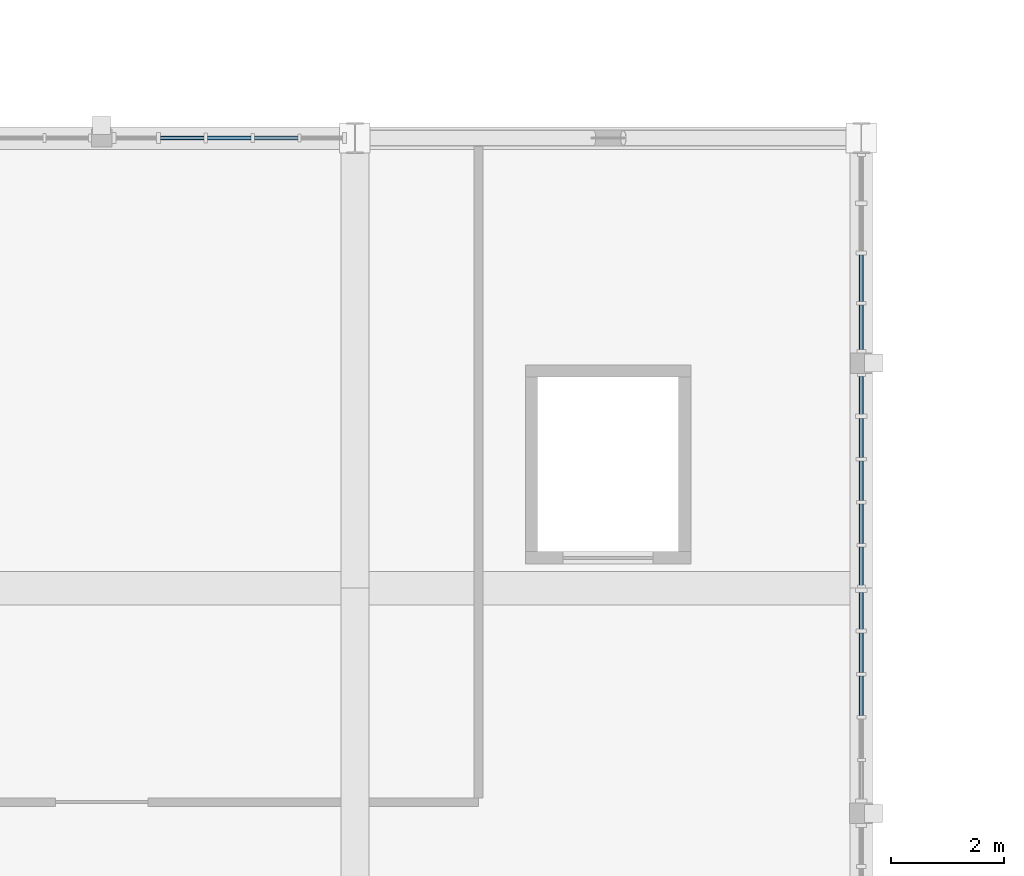
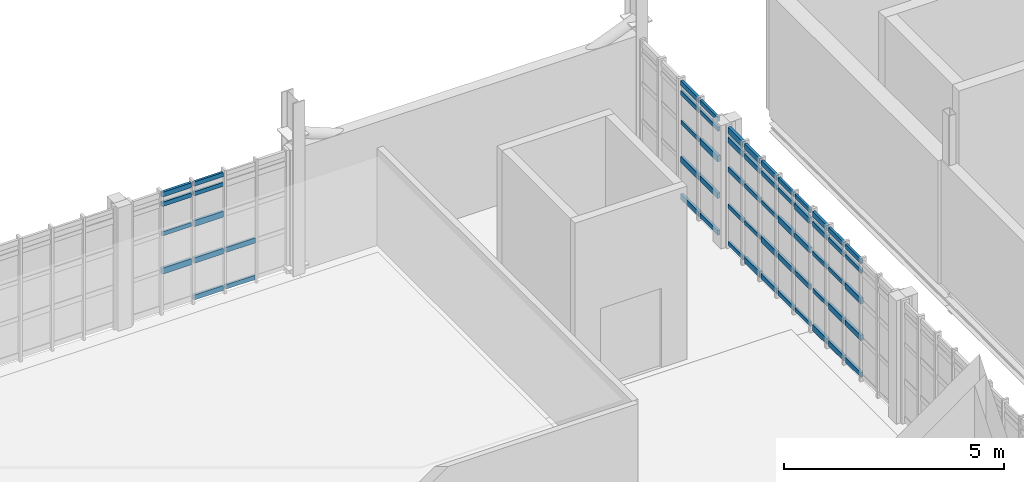
# One storey, part 73 of 128: 61 members, 4 elements without a shape of their own.
"""IFC4 building model written with IfcOpenShell, lengths in metres."""

from ifc_helpers import new_model, si_unit, direction, frame, origin, origin_2d, place, context, subcontext, project, spatial, rectangle, extrude, material, material_profile, profile_set, type_object, element, aggregate, save


model = new_model("IFC4")

# Units and contexts
model_context = context("Model", 3, precision=1e-05, world=origin(), true_north=direction((0.0, 1.0)))
body_context = subcontext(model_context, "Body", "Model", "MODEL_VIEW")
ifc_project = project(units=[si_unit("LENGTHUNIT", "METRE"), si_unit("AREAUNIT", "SQUARE_METRE"), si_unit("VOLUMEUNIT", "CUBIC_METRE"), si_unit("PLANEANGLEUNIT", "RADIAN"), si_unit("MASSUNIT", "GRAM", prefix="KILO")], contexts=[model_context])

# Site, building, storey
site_placement = place(None, origin())
site = spatial("IfcSite", under=ifc_project, at=site_placement, CompositionType="ELEMENT")
building_placement = place(site_placement, origin())
building = spatial("IfcBuilding", under=site, at=building_placement, Name="Serraforn Aerial Cableway Station", CompositionType="ELEMENT")
storey_placement = place(building_placement, frame((0.0, 0.0, 9.0)))
storey = spatial("IfcBuildingStorey", under=building, at=storey_placement, Name="L02", CompositionType="ELEMENT", Elevation=9.0)

# Curtain wall, members
ifc_material_1 = material(Name="Anodised bronze unitised curtain wall")
curtain_wall_type_1 = type_object("IfcCurtainWallType", Name="CW-SYS-25", PredefinedType="USERDEFINED", material=ifc_material_1)
curtain_wall_1_placement = place(storey_placement, origin())
curtain_wall_1 = element("IfcCurtainWall", 1, at=curtain_wall_1_placement, inside=storey, type_object=curtain_wall_type_1, Name="Unitised Curtain Wall CW-CV-L02-N6A", ObjectType="UNITISED CURTAIN WALL", PredefinedType="USERDEFINED")
ifc_material_2 = material(Name="Anodised bronze extruded aluminium", Category="aluminium")
ifc_material_profile_1 = material_profile(ifc_material_2, rectangle(XDim=0.054931640625, YDim=0.110107421875, at=origin_2d()), Name="CW TRANSOM 55x110")
ifc_profile_set_1 = profile_set([ifc_material_profile_1], Name="Anodised bronze extruded aluminium")
member_type_1 = type_object("IfcMemberType", Name="CW-TRN-1", PredefinedType="USERDEFINED", material=ifc_profile_set_1)
member_1_placement = place(storey_placement, frame((79.755126953125, 42.0, 3.009521484375), z_axis=(-1.0, 0.0, 0.0), x_axis=(0.0, -1.0, 0.0)))
member_1 = element("IfcMember", 2, at=member_1_placement, type_object=member_type_1, Name="Curtain Wall Transom CW-CV-L02-N6A-T3-4", ObjectType="TRANSOM", PredefinedType="USERDEFINED", context=body_context, shape_type="SweptSolid", body=[
    extrude(rectangle(XDim=0.054931640625, YDim=0.110107421875, at=origin_2d()), origin(), (0.0, 0.0, 1.0), 0.77587890625),
])
member_2_placement = place(storey_placement, frame((78.918212890625, 42.0, 2.188720703125), z_axis=(-1.0, 0.0, 0.0), x_axis=(0.0, -1.0, 0.0)))
member_2 = element("IfcMember", 3, at=member_2_placement, type_object=member_type_1, Name="Curtain Wall Transom CW-CV-L02-N6A-T4-3", ObjectType="TRANSOM", PredefinedType="USERDEFINED", context=body_context, shape_type="SweptSolid", body=[
    extrude(rectangle(XDim=0.054931640625, YDim=0.110107421875, at=origin_2d()), origin(), (0.0, 0.0, 1.0), 0.770751953125),
])

curtain_wall_type_2 = type_object("IfcCurtainWallType", Name="CW-SYS-2", PredefinedType="USERDEFINED", material=ifc_material_1)
curtain_wall_2_placement = place(storey_placement, origin())
curtain_wall_2 = element("IfcCurtainWall", 4, at=curtain_wall_2_placement, inside=storey, type_object=curtain_wall_type_2, Name="Unitised Curtain Wall CW-CV-L02-E2B", ObjectType="UNITISED CURTAIN WALL", PredefinedType="USERDEFINED")
member_3_placement = place(storey_placement, frame((90.60009765625, 31.736083984375, 3.009521484375), z_axis=(0.0, 1.0, 0.0), x_axis=(-1.0, 0.0, 0.0)))
member_3 = element("IfcMember", 5, at=member_3_placement, type_object=member_type_1, Name="Curtain Wall Transom CW-CV-L02-E2B-T3-4", ObjectType="TRANSOM", PredefinedType="USERDEFINED", context=body_context, shape_type="SweptSolid", body=[
    extrude(rectangle(XDim=0.054931640625, YDim=0.110107421875, at=origin_2d()), origin(), (0.0, 0.0, 1.0), 0.705322265625),
])
member_4_placement = place(storey_placement, frame((90.60009765625, 32.50244140625, 2.188720703125), z_axis=(0.0, 1.0, 0.0), x_axis=(-1.0, 0.0, 0.0)))
member_4 = element("IfcMember", 6, at=member_4_placement, type_object=member_type_1, Name="Curtain Wall Transom CW-CV-L02-E2B-T4-3", ObjectType="TRANSOM", PredefinedType="USERDEFINED", context=body_context, shape_type="SweptSolid", body=[
    extrude(rectangle(XDim=0.054931640625, YDim=0.110107421875, at=origin_2d()), origin(), (0.0, 0.0, 1.0), 0.700439453125),
])
member_5_placement = place(storey_placement, frame((90.60009765625, 33.26904296875, 1.162841796875), z_axis=(0.0, 1.0, 0.0), x_axis=(-1.0, 0.0, 0.0)))
member_5 = element("IfcMember", 7, at=member_5_placement, type_object=member_type_1, Name="Curtain Wall Transom CW-CV-L02-E2B-T5-2", ObjectType="TRANSOM", PredefinedType="USERDEFINED", context=body_context, shape_type="SweptSolid", body=[
    extrude(rectangle(XDim=0.054931640625, YDim=0.110107421875, at=origin_2d()), origin(), (0.0, 0.0, 1.0), 0.657958984375),
])

curtain_wall_type_3 = type_object("IfcCurtainWallType", Name="CW-SYS-3", PredefinedType="USERDEFINED", material=ifc_material_1)
curtain_wall_3_placement = place(storey_placement, origin())
curtain_wall_3 = element("IfcCurtainWall", 8, at=curtain_wall_3_placement, inside=storey, type_object=curtain_wall_type_3, Name="Unitised Curtain Wall CW-CV-L02-E3A", ObjectType="UNITISED CURTAIN WALL", PredefinedType="USERDEFINED")
member_6_placement = place(storey_placement, frame((90.60009765625, 34.052978515625, 3.283203125), z_axis=(0.0, 1.0, 0.0), x_axis=(-1.0, 0.0, 0.0)))
member_6 = element("IfcMember", 9, at=member_6_placement, type_object=member_type_1, Name="Curtain Wall Transom CW-CV-L02-E3A-T1-5", ObjectType="TRANSOM", PredefinedType="USERDEFINED", context=body_context, shape_type="SweptSolid", body=[
    extrude(rectangle(XDim=0.054931640625, YDim=0.110107421875, at=origin_2d()), origin(), (0.0, 0.0, 1.0), 0.68310546875),
])
member_7_placement = place(storey_placement, frame((90.60009765625, 34.7919921875, 3.009521484375), z_axis=(0.0, 1.0, 0.0), x_axis=(-1.0, 0.0, 0.0)))
member_7 = element("IfcMember", 10, at=member_7_placement, type_object=member_type_1, Name="Curtain Wall Transom CW-CV-L02-E3A-T2-4", ObjectType="TRANSOM", PredefinedType="USERDEFINED", context=body_context, shape_type="SweptSolid", body=[
    extrude(rectangle(XDim=0.054931640625, YDim=0.110107421875, at=origin_2d()), origin(), (0.0, 0.0, 1.0), 0.70556640625),
])
member_8_placement = place(storey_placement, frame((90.60009765625, 35.55859375, 2.188720703125), z_axis=(0.0, 1.0, 0.0), x_axis=(-1.0, 0.0, 0.0)))
member_8 = element("IfcMember", 11, at=member_8_placement, type_object=member_type_1, Name="Curtain Wall Transom CW-CV-L02-E3A-T3-3", ObjectType="TRANSOM", PredefinedType="USERDEFINED", context=body_context, shape_type="SweptSolid", body=[
    extrude(rectangle(XDim=0.054931640625, YDim=0.110107421875, at=origin_2d()), origin(), (0.0, 0.0, 1.0), 0.700439453125),
])
member_9_placement = place(storey_placement, frame((90.60009765625, 36.324951171875, 1.162841796875), z_axis=(0.0, 1.0, 0.0), x_axis=(-1.0, 0.0, 0.0)))
member_9 = element("IfcMember", 12, at=member_9_placement, type_object=member_type_1, Name="Curtain Wall Transom CW-CV-L02-E3A-T4-2", ObjectType="TRANSOM", PredefinedType="USERDEFINED", context=body_context, shape_type="SweptSolid", body=[
    extrude(rectangle(XDim=0.054931640625, YDim=0.110107421875, at=origin_2d()), origin(), (0.0, 0.0, 1.0), 0.695556640625),
])
member_10_placement = place(storey_placement, frame((90.60009765625, 37.091552734375, 0.13671875), z_axis=(0.0, 1.0, 0.0), x_axis=(-1.0, 0.0, 0.0)))
member_10 = element("IfcMember", 13, at=member_10_placement, type_object=member_type_1, Name="Curtain Wall Transom CW-CV-L02-E3A-T5-1", ObjectType="TRANSOM", PredefinedType="USERDEFINED", context=body_context, shape_type="SweptSolid", body=[
    extrude(rectangle(XDim=0.054931640625, YDim=0.110107421875, at=origin_2d()), origin(), (0.0, 0.0, 1.0), 0.675537109375),
])

curtain_wall_type_4 = type_object("IfcCurtainWallType", Name="CW-SYS-4", PredefinedType="USERDEFINED", material=ifc_material_1)
curtain_wall_4_placement = place(storey_placement, origin())
curtain_wall_4 = element("IfcCurtainWall", 14, at=curtain_wall_4_placement, inside=storey, type_object=curtain_wall_type_4, Name="Unitised Curtain Wall CW-CV-L02-E3B", ObjectType="UNITISED CURTAIN WALL", PredefinedType="USERDEFINED")
member_11_placement = place(storey_placement, frame((90.60009765625, 38.238037109375, 3.009521484375), z_axis=(0.0, 1.0, 0.0), x_axis=(-1.0, 0.0, 0.0)))
member_11 = element("IfcMember", 15, at=member_11_placement, type_object=member_type_1, Name="Curtain Wall Transom CW-CV-L02-E3B-T1-4", ObjectType="TRANSOM", PredefinedType="USERDEFINED", context=body_context, shape_type="SweptSolid", body=[
    extrude(rectangle(XDim=0.054931640625, YDim=0.110107421875, at=origin_2d()), origin(), (0.0, 0.0, 1.0), 0.798095703125),
])
member_12_placement = place(storey_placement, frame((90.60009765625, 39.097412109375, 2.188720703125), z_axis=(0.0, 1.0, 0.0), x_axis=(-1.0, 0.0, 0.0)))
member_12 = element("IfcMember", 16, at=member_12_placement, type_object=member_type_1, Name="Curtain Wall Transom CW-CV-L02-E3B-T2-3", ObjectType="TRANSOM", PredefinedType="USERDEFINED", context=body_context, shape_type="SweptSolid", body=[
    extrude(rectangle(XDim=0.054931640625, YDim=0.110107421875, at=origin_2d()), origin(), (0.0, 0.0, 1.0), 0.822998046875),
])

# Member
ifc_material_profile_2 = material_profile(ifc_material_2, rectangle(XDim=0.06005859375, YDim=0.1201171875, at=origin_2d()), Name="CW TRANSOM 60x120")
ifc_profile_set_2 = profile_set([ifc_material_profile_2], Name="Anodised bronze extruded aluminium")
member_type_2 = type_object("IfcMemberType", Name="CW-TRN-2", PredefinedType="USERDEFINED", material=ifc_profile_set_2)
member_13_placement = place(storey_placement, frame((80.592041015625, 42.0, 0.13671875), z_axis=(-1.0, 0.0, 0.0), x_axis=(0.0, -1.0, 0.0)))
member_13 = element("IfcMember", 17, at=member_13_placement, type_object=member_type_2, Name="Curtain Wall Transom CW-CV-L02-N6A-T2-1", ObjectType="TRANSOM", PredefinedType="USERDEFINED", context=body_context, shape_type="SweptSolid", body=[
    extrude(rectangle(XDim=0.06005859375, YDim=0.1201171875, at=origin_2d()), origin(), (0.0, 0.0, 1.0), 0.78076171875),
])

member_14_placement = place(storey_placement, frame((79.755126953125, 42.0, 3.283203125), z_axis=(-1.0, 0.0, 0.0), x_axis=(0.0, -1.0, 0.0)))
member_14 = element("IfcMember", 18, at=member_14_placement, type_object=member_type_2, Name="Curtain Wall Transom CW-CV-L02-N6A-T3-5", ObjectType="TRANSOM", PredefinedType="USERDEFINED", context=body_context, shape_type="SweptSolid", body=[
    extrude(rectangle(XDim=0.06005859375, YDim=0.1201171875, at=origin_2d()), origin(), (0.0, 0.0, 1.0), 0.77587890625),
])

member_15_placement = place(storey_placement, frame((78.918212890625, 42.0, 3.009521484375), z_axis=(-1.0, 0.0, 0.0), x_axis=(0.0, -1.0, 0.0)))
member_15 = element("IfcMember", 19, at=member_15_placement, type_object=member_type_2, Name="Curtain Wall Transom CW-CV-L02-N6A-T4-4", ObjectType="TRANSOM", PredefinedType="USERDEFINED", context=body_context, shape_type="SweptSolid", body=[
    extrude(rectangle(XDim=0.06005859375, YDim=0.1201171875, at=origin_2d()), origin(), (0.0, 0.0, 1.0), 0.770751953125),
])

member_16_placement = place(storey_placement, frame((90.60009765625, 31.736083984375, 3.283203125), z_axis=(0.0, 1.0, 0.0), x_axis=(-1.0, 0.0, 0.0)))
member_16 = element("IfcMember", 20, at=member_16_placement, type_object=member_type_2, Name="Curtain Wall Transom CW-CV-L02-E2B-T3-5", ObjectType="TRANSOM", PredefinedType="USERDEFINED", context=body_context, shape_type="SweptSolid", body=[
    extrude(rectangle(XDim=0.06005859375, YDim=0.1201171875, at=origin_2d()), origin(), (0.0, 0.0, 1.0), 0.705322265625),
])

member_17_placement = place(storey_placement, frame((90.60009765625, 32.50244140625, 3.009521484375), z_axis=(0.0, 1.0, 0.0), x_axis=(-1.0, 0.0, 0.0)))
member_17 = element("IfcMember", 21, at=member_17_placement, type_object=member_type_2, Name="Curtain Wall Transom CW-CV-L02-E2B-T4-4", ObjectType="TRANSOM", PredefinedType="USERDEFINED", context=body_context, shape_type="SweptSolid", body=[
    extrude(rectangle(XDim=0.06005859375, YDim=0.1201171875, at=origin_2d()), origin(), (0.0, 0.0, 1.0), 0.700439453125),
])

member_18_placement = place(storey_placement, frame((90.60009765625, 33.26904296875, 2.188720703125), z_axis=(0.0, 1.0, 0.0), x_axis=(-1.0, 0.0, 0.0)))
member_18 = element("IfcMember", 22, at=member_18_placement, type_object=member_type_2, Name="Curtain Wall Transom CW-CV-L02-E2B-T5-3", ObjectType="TRANSOM", PredefinedType="USERDEFINED", context=body_context, shape_type="SweptSolid", body=[
    extrude(rectangle(XDim=0.06005859375, YDim=0.1201171875, at=origin_2d()), origin(), (0.0, 0.0, 1.0), 0.657958984375),
])

member_19_placement = place(storey_placement, frame((90.60009765625, 34.052978515625, 0.13671875), z_axis=(0.0, 1.0, 0.0), x_axis=(-1.0, 0.0, 0.0)))
member_19 = element("IfcMember", 23, at=member_19_placement, type_object=member_type_2, Name="Curtain Wall Transom CW-CV-L02-E3A-T1-1", ObjectType="TRANSOM", PredefinedType="USERDEFINED", context=body_context, shape_type="SweptSolid", body=[
    extrude(rectangle(XDim=0.06005859375, YDim=0.1201171875, at=origin_2d()), origin(), (0.0, 0.0, 1.0), 0.68310546875),
])

member_20_placement = place(storey_placement, frame((90.60009765625, 34.7919921875, 3.283203125), z_axis=(0.0, 1.0, 0.0), x_axis=(-1.0, 0.0, 0.0)))
member_20 = element("IfcMember", 24, at=member_20_placement, type_object=member_type_2, Name="Curtain Wall Transom CW-CV-L02-E3A-T2-5", ObjectType="TRANSOM", PredefinedType="USERDEFINED", context=body_context, shape_type="SweptSolid", body=[
    extrude(rectangle(XDim=0.06005859375, YDim=0.1201171875, at=origin_2d()), origin(), (0.0, 0.0, 1.0), 0.70556640625),
])

member_21_placement = place(storey_placement, frame((90.60009765625, 35.55859375, 3.009521484375), z_axis=(0.0, 1.0, 0.0), x_axis=(-1.0, 0.0, 0.0)))
member_21 = element("IfcMember", 25, at=member_21_placement, type_object=member_type_2, Name="Curtain Wall Transom CW-CV-L02-E3A-T3-4", ObjectType="TRANSOM", PredefinedType="USERDEFINED", context=body_context, shape_type="SweptSolid", body=[
    extrude(rectangle(XDim=0.06005859375, YDim=0.1201171875, at=origin_2d()), origin(), (0.0, 0.0, 1.0), 0.700439453125),
])

member_22_placement = place(storey_placement, frame((90.60009765625, 36.324951171875, 2.188720703125), z_axis=(0.0, 1.0, 0.0), x_axis=(-1.0, 0.0, 0.0)))
member_22 = element("IfcMember", 26, at=member_22_placement, type_object=member_type_2, Name="Curtain Wall Transom CW-CV-L02-E3A-T4-3", ObjectType="TRANSOM", PredefinedType="USERDEFINED", context=body_context, shape_type="SweptSolid", body=[
    extrude(rectangle(XDim=0.06005859375, YDim=0.1201171875, at=origin_2d()), origin(), (0.0, 0.0, 1.0), 0.695556640625),
])

member_23_placement = place(storey_placement, frame((90.60009765625, 37.091552734375, 1.162841796875), z_axis=(0.0, 1.0, 0.0), x_axis=(-1.0, 0.0, 0.0)))
member_23 = element("IfcMember", 27, at=member_23_placement, type_object=member_type_2, Name="Curtain Wall Transom CW-CV-L02-E3A-T5-2", ObjectType="TRANSOM", PredefinedType="USERDEFINED", context=body_context, shape_type="SweptSolid", body=[
    extrude(rectangle(XDim=0.06005859375, YDim=0.1201171875, at=origin_2d()), origin(), (0.0, 0.0, 1.0), 0.675537109375),
])

member_24_placement = place(storey_placement, frame((90.60009765625, 38.238037109375, 3.283203125), z_axis=(0.0, 1.0, 0.0), x_axis=(-1.0, 0.0, 0.0)))
member_24 = element("IfcMember", 28, at=member_24_placement, type_object=member_type_2, Name="Curtain Wall Transom CW-CV-L02-E3B-T1-5", ObjectType="TRANSOM", PredefinedType="USERDEFINED", context=body_context, shape_type="SweptSolid", body=[
    extrude(rectangle(XDim=0.06005859375, YDim=0.1201171875, at=origin_2d()), origin(), (0.0, 0.0, 1.0), 0.798095703125),
])

member_25_placement = place(storey_placement, frame((90.60009765625, 39.097412109375, 3.009521484375), z_axis=(0.0, 1.0, 0.0), x_axis=(-1.0, 0.0, 0.0)))
member_25 = element("IfcMember", 29, at=member_25_placement, type_object=member_type_2, Name="Curtain Wall Transom CW-CV-L02-E3B-T2-4", ObjectType="TRANSOM", PredefinedType="USERDEFINED", context=body_context, shape_type="SweptSolid", body=[
    extrude(rectangle(XDim=0.06005859375, YDim=0.1201171875, at=origin_2d()), origin(), (0.0, 0.0, 1.0), 0.822998046875),
])

ifc_material_profile_3 = material_profile(ifc_material_2, rectangle(XDim=0.06494140625, YDim=0.135009765625, at=origin_2d()), Name="CW TRANSOM 65x135")
ifc_profile_set_3 = profile_set([ifc_material_profile_3], Name="Anodised bronze extruded aluminium")
member_type_3 = type_object("IfcMemberType", Name="CW-TRN-3", PredefinedType="USERDEFINED", material=ifc_profile_set_3)
member_26_placement = place(storey_placement, frame((80.592041015625, 42.0, 1.162841796875), z_axis=(-1.0, 0.0, 0.0), x_axis=(0.0, -1.0, 0.0)))
member_26 = element("IfcMember", 30, at=member_26_placement, type_object=member_type_3, Name="Curtain Wall Transom CW-CV-L02-N6A-T2-2", ObjectType="TRANSOM", PredefinedType="USERDEFINED", context=body_context, shape_type="SweptSolid", body=[
    extrude(rectangle(XDim=0.06494140625, YDim=0.135009765625, at=origin_2d()), origin(), (0.0, 0.0, 1.0), 0.78076171875),
])

member_27_placement = place(storey_placement, frame((79.755126953125, 42.0, 0.13671875), z_axis=(-1.0, 0.0, 0.0), x_axis=(0.0, -1.0, 0.0)))
member_27 = element("IfcMember", 31, at=member_27_placement, type_object=member_type_3, Name="Curtain Wall Transom CW-CV-L02-N6A-T3-1", ObjectType="TRANSOM", PredefinedType="USERDEFINED", context=body_context, shape_type="SweptSolid", body=[
    extrude(rectangle(XDim=0.06494140625, YDim=0.135009765625, at=origin_2d()), origin(), (0.0, 0.0, 1.0), 0.77587890625),
])

member_28_placement = place(storey_placement, frame((78.918212890625, 42.0, 3.283203125), z_axis=(-1.0, 0.0, 0.0), x_axis=(0.0, -1.0, 0.0)))
member_28 = element("IfcMember", 32, at=member_28_placement, type_object=member_type_3, Name="Curtain Wall Transom CW-CV-L02-N6A-T4-5", ObjectType="TRANSOM", PredefinedType="USERDEFINED", context=body_context, shape_type="SweptSolid", body=[
    extrude(rectangle(XDim=0.06494140625, YDim=0.135009765625, at=origin_2d()), origin(), (0.0, 0.0, 1.0), 0.770751953125),
])

member_29_placement = place(storey_placement, frame((90.60009765625, 31.736083984375, 0.13671875), z_axis=(0.0, 1.0, 0.0), x_axis=(-1.0, 0.0, 0.0)))
member_29 = element("IfcMember", 33, at=member_29_placement, type_object=member_type_3, Name="Curtain Wall Transom CW-CV-L02-E2B-T3-1", ObjectType="TRANSOM", PredefinedType="USERDEFINED", context=body_context, shape_type="SweptSolid", body=[
    extrude(rectangle(XDim=0.06494140625, YDim=0.135009765625, at=origin_2d()), origin(), (0.0, 0.0, 1.0), 0.705322265625),
])

member_30_placement = place(storey_placement, frame((90.60009765625, 32.50244140625, 3.283203125), z_axis=(0.0, 1.0, 0.0), x_axis=(-1.0, 0.0, 0.0)))
member_30 = element("IfcMember", 34, at=member_30_placement, type_object=member_type_3, Name="Curtain Wall Transom CW-CV-L02-E2B-T4-5", ObjectType="TRANSOM", PredefinedType="USERDEFINED", context=body_context, shape_type="SweptSolid", body=[
    extrude(rectangle(XDim=0.06494140625, YDim=0.135009765625, at=origin_2d()), origin(), (0.0, 0.0, 1.0), 0.700439453125),
])

member_31_placement = place(storey_placement, frame((90.60009765625, 33.26904296875, 3.009521484375), z_axis=(0.0, 1.0, 0.0), x_axis=(-1.0, 0.0, 0.0)))
member_31 = element("IfcMember", 35, at=member_31_placement, type_object=member_type_3, Name="Curtain Wall Transom CW-CV-L02-E2B-T5-4", ObjectType="TRANSOM", PredefinedType="USERDEFINED", context=body_context, shape_type="SweptSolid", body=[
    extrude(rectangle(XDim=0.06494140625, YDim=0.135009765625, at=origin_2d()), origin(), (0.0, 0.0, 1.0), 0.657958984375),
])

member_32_placement = place(storey_placement, frame((90.60009765625, 34.052978515625, 1.162841796875), z_axis=(0.0, 1.0, 0.0), x_axis=(-1.0, 0.0, 0.0)))
member_32 = element("IfcMember", 36, at=member_32_placement, type_object=member_type_3, Name="Curtain Wall Transom CW-CV-L02-E3A-T1-2", ObjectType="TRANSOM", PredefinedType="USERDEFINED", context=body_context, shape_type="SweptSolid", body=[
    extrude(rectangle(XDim=0.06494140625, YDim=0.135009765625, at=origin_2d()), origin(), (0.0, 0.0, 1.0), 0.68310546875),
])

member_33_placement = place(storey_placement, frame((90.60009765625, 34.7919921875, 0.13671875), z_axis=(0.0, 1.0, 0.0), x_axis=(-1.0, 0.0, 0.0)))
member_33 = element("IfcMember", 37, at=member_33_placement, type_object=member_type_3, Name="Curtain Wall Transom CW-CV-L02-E3A-T2-1", ObjectType="TRANSOM", PredefinedType="USERDEFINED", context=body_context, shape_type="SweptSolid", body=[
    extrude(rectangle(XDim=0.06494140625, YDim=0.135009765625, at=origin_2d()), origin(), (0.0, 0.0, 1.0), 0.70556640625),
])

member_34_placement = place(storey_placement, frame((90.60009765625, 35.55859375, 3.283203125), z_axis=(0.0, 1.0, 0.0), x_axis=(-1.0, 0.0, 0.0)))
member_34 = element("IfcMember", 38, at=member_34_placement, type_object=member_type_3, Name="Curtain Wall Transom CW-CV-L02-E3A-T3-5", ObjectType="TRANSOM", PredefinedType="USERDEFINED", context=body_context, shape_type="SweptSolid", body=[
    extrude(rectangle(XDim=0.06494140625, YDim=0.135009765625, at=origin_2d()), origin(), (0.0, 0.0, 1.0), 0.700439453125),
])

member_35_placement = place(storey_placement, frame((90.60009765625, 36.324951171875, 3.009521484375), z_axis=(0.0, 1.0, 0.0), x_axis=(-1.0, 0.0, 0.0)))
member_35 = element("IfcMember", 39, at=member_35_placement, type_object=member_type_3, Name="Curtain Wall Transom CW-CV-L02-E3A-T4-4", ObjectType="TRANSOM", PredefinedType="USERDEFINED", context=body_context, shape_type="SweptSolid", body=[
    extrude(rectangle(XDim=0.06494140625, YDim=0.135009765625, at=origin_2d()), origin(), (0.0, 0.0, 1.0), 0.695556640625),
])

member_36_placement = place(storey_placement, frame((90.60009765625, 37.091552734375, 2.188720703125), z_axis=(0.0, 1.0, 0.0), x_axis=(-1.0, 0.0, 0.0)))
member_36 = element("IfcMember", 40, at=member_36_placement, type_object=member_type_3, Name="Curtain Wall Transom CW-CV-L02-E3A-T5-3", ObjectType="TRANSOM", PredefinedType="USERDEFINED", context=body_context, shape_type="SweptSolid", body=[
    extrude(rectangle(XDim=0.06494140625, YDim=0.135009765625, at=origin_2d()), origin(), (0.0, 0.0, 1.0), 0.675537109375),
])

member_37_placement = place(storey_placement, frame((90.60009765625, 38.238037109375, 0.13671875), z_axis=(0.0, 1.0, 0.0), x_axis=(-1.0, 0.0, 0.0)))
member_37 = element("IfcMember", 41, at=member_37_placement, type_object=member_type_3, Name="Curtain Wall Transom CW-CV-L02-E3B-T1-1", ObjectType="TRANSOM", PredefinedType="USERDEFINED", context=body_context, shape_type="SweptSolid", body=[
    extrude(rectangle(XDim=0.06494140625, YDim=0.135009765625, at=origin_2d()), origin(), (0.0, 0.0, 1.0), 0.798095703125),
])

member_38_placement = place(storey_placement, frame((90.60009765625, 39.097412109375, 3.283203125), z_axis=(0.0, 1.0, 0.0), x_axis=(-1.0, 0.0, 0.0)))
member_38 = element("IfcMember", 42, at=member_38_placement, type_object=member_type_3, Name="Curtain Wall Transom CW-CV-L02-E3B-T2-5", ObjectType="TRANSOM", PredefinedType="USERDEFINED", context=body_context, shape_type="SweptSolid", body=[
    extrude(rectangle(XDim=0.06494140625, YDim=0.135009765625, at=origin_2d()), origin(), (0.0, 0.0, 1.0), 0.822998046875),
])

ifc_material_profile_4 = material_profile(ifc_material_2, rectangle(XDim=0.070068359375, YDim=0.14990234375, at=origin_2d()), Name="CW TRANSOM 70x150")
ifc_profile_set_4 = profile_set([ifc_material_profile_4], Name="Anodised bronze extruded aluminium")
member_type_4 = type_object("IfcMemberType", Name="CW-TRN-4", PredefinedType="USERDEFINED", material=ifc_profile_set_4)
member_39_placement = place(storey_placement, frame((79.755126953125, 42.0, 1.162841796875), z_axis=(-1.0, 0.0, 0.0), x_axis=(0.0, -1.0, 0.0)))
member_39 = element("IfcMember", 43, at=member_39_placement, type_object=member_type_4, Name="Curtain Wall Transom CW-CV-L02-N6A-T3-2", ObjectType="TRANSOM", PredefinedType="USERDEFINED", context=body_context, shape_type="SweptSolid", body=[
    extrude(rectangle(XDim=0.070068359375, YDim=0.14990234375, at=origin_2d()), origin(), (0.0, 0.0, 1.0), 0.77587890625),
])

member_40_placement = place(storey_placement, frame((90.60009765625, 31.736083984375, 1.162841796875), z_axis=(0.0, 1.0, 0.0), x_axis=(-1.0, 0.0, 0.0)))
member_40 = element("IfcMember", 44, at=member_40_placement, type_object=member_type_4, Name="Curtain Wall Transom CW-CV-L02-E2B-T3-2", ObjectType="TRANSOM", PredefinedType="USERDEFINED", context=body_context, shape_type="SweptSolid", body=[
    extrude(rectangle(XDim=0.070068359375, YDim=0.14990234375, at=origin_2d()), origin(), (0.0, 0.0, 1.0), 0.705322265625),
])

member_41_placement = place(storey_placement, frame((90.60009765625, 32.50244140625, 0.13671875), z_axis=(0.0, 1.0, 0.0), x_axis=(-1.0, 0.0, 0.0)))
member_41 = element("IfcMember", 45, at=member_41_placement, type_object=member_type_4, Name="Curtain Wall Transom CW-CV-L02-E2B-T4-1", ObjectType="TRANSOM", PredefinedType="USERDEFINED", context=body_context, shape_type="SweptSolid", body=[
    extrude(rectangle(XDim=0.070068359375, YDim=0.14990234375, at=origin_2d()), origin(), (0.0, 0.0, 1.0), 0.700439453125),
])

member_42_placement = place(storey_placement, frame((90.60009765625, 33.26904296875, 3.283203125), z_axis=(0.0, 1.0, 0.0), x_axis=(-1.0, 0.0, 0.0)))
member_42 = element("IfcMember", 46, at=member_42_placement, type_object=member_type_4, Name="Curtain Wall Transom CW-CV-L02-E2B-T5-5", ObjectType="TRANSOM", PredefinedType="USERDEFINED", context=body_context, shape_type="SweptSolid", body=[
    extrude(rectangle(XDim=0.070068359375, YDim=0.14990234375, at=origin_2d()), origin(), (0.0, 0.0, 1.0), 0.657958984375),
])

member_43_placement = place(storey_placement, frame((90.60009765625, 34.052978515625, 2.188720703125), z_axis=(0.0, 1.0, 0.0), x_axis=(-1.0, 0.0, 0.0)))
member_43 = element("IfcMember", 47, at=member_43_placement, type_object=member_type_4, Name="Curtain Wall Transom CW-CV-L02-E3A-T1-3", ObjectType="TRANSOM", PredefinedType="USERDEFINED", context=body_context, shape_type="SweptSolid", body=[
    extrude(rectangle(XDim=0.070068359375, YDim=0.14990234375, at=origin_2d()), origin(), (0.0, 0.0, 1.0), 0.68310546875),
])

member_44_placement = place(storey_placement, frame((90.60009765625, 34.7919921875, 1.162841796875), z_axis=(0.0, 1.0, 0.0), x_axis=(-1.0, 0.0, 0.0)))
member_44 = element("IfcMember", 48, at=member_44_placement, type_object=member_type_4, Name="Curtain Wall Transom CW-CV-L02-E3A-T2-2", ObjectType="TRANSOM", PredefinedType="USERDEFINED", context=body_context, shape_type="SweptSolid", body=[
    extrude(rectangle(XDim=0.070068359375, YDim=0.14990234375, at=origin_2d()), origin(), (0.0, 0.0, 1.0), 0.70556640625),
])

member_45_placement = place(storey_placement, frame((90.60009765625, 35.55859375, 0.13671875), z_axis=(0.0, 1.0, 0.0), x_axis=(-1.0, 0.0, 0.0)))
member_45 = element("IfcMember", 49, at=member_45_placement, type_object=member_type_4, Name="Curtain Wall Transom CW-CV-L02-E3A-T3-1", ObjectType="TRANSOM", PredefinedType="USERDEFINED", context=body_context, shape_type="SweptSolid", body=[
    extrude(rectangle(XDim=0.070068359375, YDim=0.14990234375, at=origin_2d()), origin(), (0.0, 0.0, 1.0), 0.700439453125),
])

member_46_placement = place(storey_placement, frame((90.60009765625, 36.324951171875, 3.283203125), z_axis=(0.0, 1.0, 0.0), x_axis=(-1.0, 0.0, 0.0)))
member_46 = element("IfcMember", 50, at=member_46_placement, type_object=member_type_4, Name="Curtain Wall Transom CW-CV-L02-E3A-T4-5", ObjectType="TRANSOM", PredefinedType="USERDEFINED", context=body_context, shape_type="SweptSolid", body=[
    extrude(rectangle(XDim=0.070068359375, YDim=0.14990234375, at=origin_2d()), origin(), (0.0, 0.0, 1.0), 0.695556640625),
])

member_47_placement = place(storey_placement, frame((90.60009765625, 37.091552734375, 3.009521484375), z_axis=(0.0, 1.0, 0.0), x_axis=(-1.0, 0.0, 0.0)))
member_47 = element("IfcMember", 51, at=member_47_placement, type_object=member_type_4, Name="Curtain Wall Transom CW-CV-L02-E3A-T5-4", ObjectType="TRANSOM", PredefinedType="USERDEFINED", context=body_context, shape_type="SweptSolid", body=[
    extrude(rectangle(XDim=0.070068359375, YDim=0.14990234375, at=origin_2d()), origin(), (0.0, 0.0, 1.0), 0.675537109375),
])

member_48_placement = place(storey_placement, frame((90.60009765625, 38.238037109375, 1.162841796875), z_axis=(0.0, 1.0, 0.0), x_axis=(-1.0, 0.0, 0.0)))
member_48 = element("IfcMember", 52, at=member_48_placement, type_object=member_type_4, Name="Curtain Wall Transom CW-CV-L02-E3B-T1-2", ObjectType="TRANSOM", PredefinedType="USERDEFINED", context=body_context, shape_type="SweptSolid", body=[
    extrude(rectangle(XDim=0.070068359375, YDim=0.14990234375, at=origin_2d()), origin(), (0.0, 0.0, 1.0), 0.798095703125),
])

member_49_placement = place(storey_placement, frame((90.60009765625, 39.097412109375, 0.13671875), z_axis=(0.0, 1.0, 0.0), x_axis=(-1.0, 0.0, 0.0)))
member_49 = element("IfcMember", 53, at=member_49_placement, type_object=member_type_4, Name="Curtain Wall Transom CW-CV-L02-E3B-T2-1", ObjectType="TRANSOM", PredefinedType="USERDEFINED", context=body_context, shape_type="SweptSolid", body=[
    extrude(rectangle(XDim=0.070068359375, YDim=0.14990234375, at=origin_2d()), origin(), (0.0, 0.0, 1.0), 0.822998046875),
])

ifc_material_profile_5 = material_profile(ifc_material_2, rectangle(XDim=0.074951171875, YDim=0.1650390625, at=origin_2d()), Name="CW TRANSOM 75x165")
ifc_profile_set_5 = profile_set([ifc_material_profile_5], Name="Anodised bronze extruded aluminium")
member_type_5 = type_object("IfcMemberType", Name="CW-TRN-5", PredefinedType="USERDEFINED", material=ifc_profile_set_5)
member_50_placement = place(storey_placement, frame((79.755126953125, 42.0, 2.188720703125), z_axis=(-1.0, 0.0, 0.0), x_axis=(0.0, -1.0, 0.0)))
member_50 = element("IfcMember", 54, at=member_50_placement, type_object=member_type_5, Name="Curtain Wall Transom CW-CV-L02-N6A-T3-3", ObjectType="TRANSOM", PredefinedType="USERDEFINED", context=body_context, shape_type="SweptSolid", body=[
    extrude(rectangle(XDim=0.074951171875, YDim=0.1650390625, at=origin_2d()), origin(), (0.0, 0.0, 1.0), 0.77587890625),
])

member_51_placement = place(storey_placement, frame((78.918212890625, 42.0, 1.162841796875), z_axis=(-1.0, 0.0, 0.0), x_axis=(0.0, -1.0, 0.0)))
member_51 = element("IfcMember", 55, at=member_51_placement, type_object=member_type_5, Name="Curtain Wall Transom CW-CV-L02-N6A-T4-2", ObjectType="TRANSOM", PredefinedType="USERDEFINED", context=body_context, shape_type="SweptSolid", body=[
    extrude(rectangle(XDim=0.074951171875, YDim=0.1650390625, at=origin_2d()), origin(), (0.0, 0.0, 1.0), 0.770751953125),
])

aggregate(curtain_wall_1, [member_13, member_26, member_27, member_39, member_50, member_1, member_14, member_51, member_2, member_15, member_28])

member_52_placement = place(storey_placement, frame((90.60009765625, 31.736083984375, 2.188720703125), z_axis=(0.0, 1.0, 0.0), x_axis=(-1.0, 0.0, 0.0)))
member_52 = element("IfcMember", 56, at=member_52_placement, type_object=member_type_5, Name="Curtain Wall Transom CW-CV-L02-E2B-T3-3", ObjectType="TRANSOM", PredefinedType="USERDEFINED", context=body_context, shape_type="SweptSolid", body=[
    extrude(rectangle(XDim=0.074951171875, YDim=0.1650390625, at=origin_2d()), origin(), (0.0, 0.0, 1.0), 0.705322265625),
])

member_53_placement = place(storey_placement, frame((90.60009765625, 32.50244140625, 1.162841796875), z_axis=(0.0, 1.0, 0.0), x_axis=(-1.0, 0.0, 0.0)))
member_53 = element("IfcMember", 57, at=member_53_placement, type_object=member_type_5, Name="Curtain Wall Transom CW-CV-L02-E2B-T4-2", ObjectType="TRANSOM", PredefinedType="USERDEFINED", context=body_context, shape_type="SweptSolid", body=[
    extrude(rectangle(XDim=0.074951171875, YDim=0.1650390625, at=origin_2d()), origin(), (0.0, 0.0, 1.0), 0.700439453125),
])

member_54_placement = place(storey_placement, frame((90.60009765625, 33.26904296875, 0.13671875), z_axis=(0.0, 1.0, 0.0), x_axis=(-1.0, 0.0, 0.0)))
member_54 = element("IfcMember", 58, at=member_54_placement, type_object=member_type_5, Name="Curtain Wall Transom CW-CV-L02-E2B-T5-1", ObjectType="TRANSOM", PredefinedType="USERDEFINED", context=body_context, shape_type="SweptSolid", body=[
    extrude(rectangle(XDim=0.074951171875, YDim=0.1650390625, at=origin_2d()), origin(), (0.0, 0.0, 1.0), 0.657958984375),
])

aggregate(curtain_wall_2, [member_29, member_40, member_52, member_3, member_16, member_41, member_53, member_4, member_17, member_30, member_54, member_5, member_18, member_31, member_42])

member_55_placement = place(storey_placement, frame((90.60009765625, 34.052978515625, 3.009521484375), z_axis=(0.0, 1.0, 0.0), x_axis=(-1.0, 0.0, 0.0)))
member_55 = element("IfcMember", 59, at=member_55_placement, type_object=member_type_5, Name="Curtain Wall Transom CW-CV-L02-E3A-T1-4", ObjectType="TRANSOM", PredefinedType="USERDEFINED", context=body_context, shape_type="SweptSolid", body=[
    extrude(rectangle(XDim=0.074951171875, YDim=0.1650390625, at=origin_2d()), origin(), (0.0, 0.0, 1.0), 0.68310546875),
])

member_56_placement = place(storey_placement, frame((90.60009765625, 34.7919921875, 2.188720703125), z_axis=(0.0, 1.0, 0.0), x_axis=(-1.0, 0.0, 0.0)))
member_56 = element("IfcMember", 60, at=member_56_placement, type_object=member_type_5, Name="Curtain Wall Transom CW-CV-L02-E3A-T2-3", ObjectType="TRANSOM", PredefinedType="USERDEFINED", context=body_context, shape_type="SweptSolid", body=[
    extrude(rectangle(XDim=0.074951171875, YDim=0.1650390625, at=origin_2d()), origin(), (0.0, 0.0, 1.0), 0.70556640625),
])

member_57_placement = place(storey_placement, frame((90.60009765625, 35.55859375, 1.162841796875), z_axis=(0.0, 1.0, 0.0), x_axis=(-1.0, 0.0, 0.0)))
member_57 = element("IfcMember", 61, at=member_57_placement, type_object=member_type_5, Name="Curtain Wall Transom CW-CV-L02-E3A-T3-2", ObjectType="TRANSOM", PredefinedType="USERDEFINED", context=body_context, shape_type="SweptSolid", body=[
    extrude(rectangle(XDim=0.074951171875, YDim=0.1650390625, at=origin_2d()), origin(), (0.0, 0.0, 1.0), 0.700439453125),
])

member_58_placement = place(storey_placement, frame((90.60009765625, 36.324951171875, 0.13671875), z_axis=(0.0, 1.0, 0.0), x_axis=(-1.0, 0.0, 0.0)))
member_58 = element("IfcMember", 62, at=member_58_placement, type_object=member_type_5, Name="Curtain Wall Transom CW-CV-L02-E3A-T4-1", ObjectType="TRANSOM", PredefinedType="USERDEFINED", context=body_context, shape_type="SweptSolid", body=[
    extrude(rectangle(XDim=0.074951171875, YDim=0.1650390625, at=origin_2d()), origin(), (0.0, 0.0, 1.0), 0.695556640625),
])

member_59_placement = place(storey_placement, frame((90.60009765625, 37.091552734375, 3.283203125), z_axis=(0.0, 1.0, 0.0), x_axis=(-1.0, 0.0, 0.0)))
member_59 = element("IfcMember", 63, at=member_59_placement, type_object=member_type_5, Name="Curtain Wall Transom CW-CV-L02-E3A-T5-5", ObjectType="TRANSOM", PredefinedType="USERDEFINED", context=body_context, shape_type="SweptSolid", body=[
    extrude(rectangle(XDim=0.074951171875, YDim=0.1650390625, at=origin_2d()), origin(), (0.0, 0.0, 1.0), 0.675537109375),
])

aggregate(curtain_wall_3, [member_19, member_32, member_43, member_55, member_6, member_33, member_44, member_56, member_7, member_20, member_45, member_57, member_8, member_21, member_34, member_58, member_9, member_22, member_35, member_46, member_10, member_23, member_36, member_47, member_59])

member_60_placement = place(storey_placement, frame((90.60009765625, 38.238037109375, 2.188720703125), z_axis=(0.0, 1.0, 0.0), x_axis=(-1.0, 0.0, 0.0)))
member_60 = element("IfcMember", 64, at=member_60_placement, type_object=member_type_5, Name="Curtain Wall Transom CW-CV-L02-E3B-T1-3", ObjectType="TRANSOM", PredefinedType="USERDEFINED", context=body_context, shape_type="SweptSolid", body=[
    extrude(rectangle(XDim=0.074951171875, YDim=0.1650390625, at=origin_2d()), origin(), (0.0, 0.0, 1.0), 0.798095703125),
])

member_61_placement = place(storey_placement, frame((90.60009765625, 39.097412109375, 1.162841796875), z_axis=(0.0, 1.0, 0.0), x_axis=(-1.0, 0.0, 0.0)))
member_61 = element("IfcMember", 65, at=member_61_placement, type_object=member_type_5, Name="Curtain Wall Transom CW-CV-L02-E3B-T2-2", ObjectType="TRANSOM", PredefinedType="USERDEFINED", context=body_context, shape_type="SweptSolid", body=[
    extrude(rectangle(XDim=0.074951171875, YDim=0.1650390625, at=origin_2d()), origin(), (0.0, 0.0, 1.0), 0.822998046875),
])

aggregate(curtain_wall_4, [member_37, member_48, member_60, member_11, member_24, member_49, member_61, member_12, member_25, member_38])

save(model, "model.ifc")
